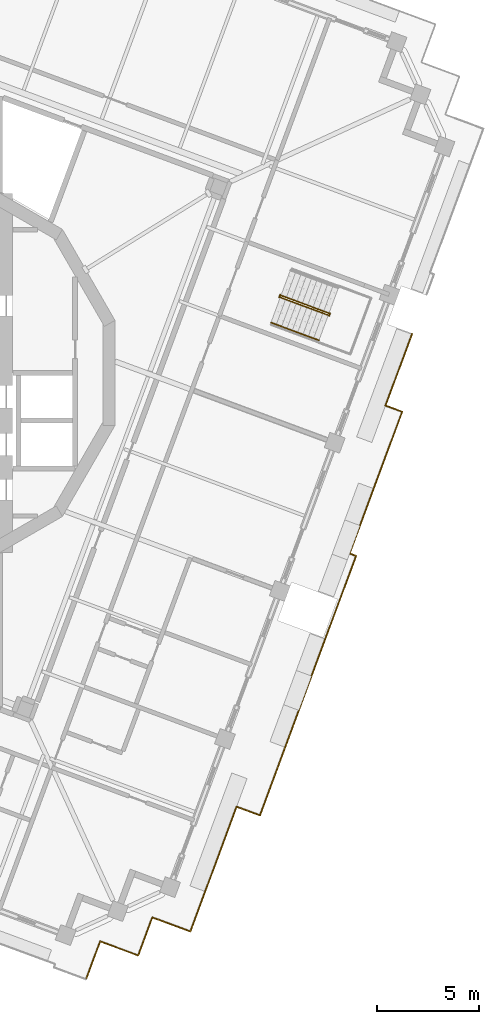
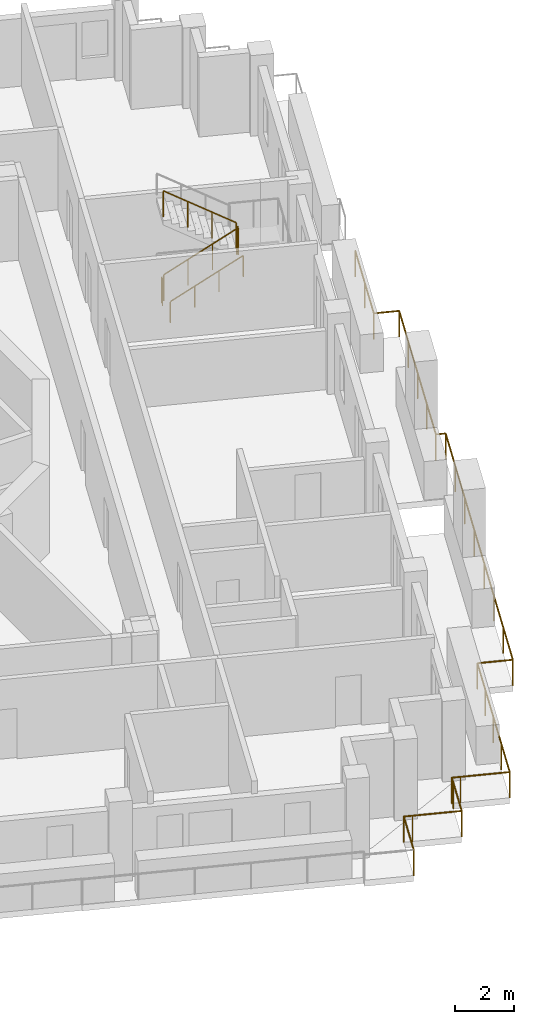
# One storey, part 17 of 20: 5 railings.
"""IFC4 building model written with IfcOpenShell, lengths in metres."""

from ifc_helpers import new_model, si_unit, direction, frame, origin, origin_2d, place, context, subcontext, project, spatial, circle, extrude, material, type_object, element, save


model = new_model("IFC4")

# Units and contexts
model_context = context("Model", 3, precision=1e-05, world=origin(), true_north=direction((0.0, 1.0)))
body_context = subcontext(model_context, "Body", "Model", "MODEL_VIEW")
ifc_project = project(units=[si_unit("LENGTHUNIT", "METRE"), si_unit("AREAUNIT", "SQUARE_METRE"), si_unit("VOLUMEUNIT", "CUBIC_METRE"), si_unit("PLANEANGLEUNIT", "RADIAN"), si_unit("MASSUNIT", "GRAM", prefix="KILO")], contexts=[model_context])

# Site, building, storey
site_placement = place(None, origin())
site = spatial("IfcSite", under=ifc_project, at=site_placement, CompositionType="ELEMENT")
building_placement = place(site_placement, origin())
building = spatial("IfcBuilding", under=site, at=building_placement, Name="Cantera Rosa Tower", CompositionType="ELEMENT")
storey_placement = place(building_placement, frame((0.0, 0.0, 309.699951171875)))
storey = spatial("IfcBuildingStorey", under=building, at=storey_placement, Name="L68", CompositionType="ELEMENT", Elevation=309.699951171875)

# Railings
ifc_material_1 = material(Name="Stainless steel and laminated glass", Category="steel")
railing_type_1 = type_object("IfcRailingType", Name="GUARD 1100", PredefinedType="BALUSTRADE", material=ifc_material_1)
railing_1_placement = place(storey_placement, frame((24.29150390625, 1.918701171875, 0.0)))
element("IfcRailing", 1, at=railing_1_placement, inside=storey, type_object=railing_type_1, Name="GUARD L68-7", PredefinedType="BALUSTRADE", context=body_context, shape_type="SweptSolid", body=[
    extrude(circle(Radius=0.030029296875, at=origin_2d()), frame((0.0, 0.0, 1.070068359375), z_axis=(-0.347529903095, -0.937668900228, 0.0), x_axis=(0.937668900228, -0.347529903095, 0.0)), (0.0, 0.0, 1.0), 3.7626953125),
    extrude(circle(Radius=0.030029296875, at=origin_2d()), frame((-1.3076171875, -3.528076171875, 1.070068359375), z_axis=(0.937752120302, -0.347305284828, 0.0), x_axis=(0.347305284828, 0.937752120302, 0.0)), (0.0, 0.0, 1.0), 0.876708984375),
    extrude(circle(Radius=0.030029296875, at=origin_2d()), frame((-0.485595703125, -3.83251953125, 1.070068359375), z_axis=(-0.347475671947, -0.937688998232, 0.0), x_axis=(0.937688998232, -0.347475671947, 0.0)), (0.0, 0.0, 1.0), 7.44287109375),
    extrude(circle(Radius=0.030029296875, at=origin_2d()), frame((-3.07177734375, -10.8115234375, 1.070068359375), z_axis=(0.937661389353, -0.347550167482, 0.0), x_axis=(0.347550167482, 0.937661389353, 0.0)), (0.0, 0.0, 1.0), 0.337158203125),
    extrude(circle(Radius=0.030029296875, at=origin_2d()), frame((-2.755615234375, -10.9287109375, 1.070068359375), z_axis=(-0.347469536393, -0.937691271837, 0.0), x_axis=(0.937691271837, -0.347469536393, 0.0)), (0.0, 0.0, 1.0), 13.62939453125),
    extrude(circle(Radius=0.030029296875, at=origin_2d()), frame((-7.491455078125, -23.708984375, 1.070068359375), z_axis=(-0.937722312445, 0.34738575783, 0.0), x_axis=(-0.34738575783, -0.937722312445, 0.0)), (0.0, 0.0, 1.0), 1.224853515625),
    extrude(circle(Radius=0.030029296875, at=origin_2d()), frame((-8.64013671875, -23.283447265625, 1.070068359375), z_axis=(-0.347478129695, -0.93768808747, 0.0), x_axis=(0.93768808747, -0.347478129695, 0.0)), (0.0, 0.0, 1.0), 4.85498046875),
    extrude(circle(Radius=0.030029296875, at=origin_2d()), frame((-10.3271484375, -27.8359375, 1.070068359375), z_axis=(-0.347501421626, -0.937679455874, 0.0), x_axis=(0.937679455874, -0.347501421626, 0.0)), (0.0, 0.0, 1.0), 1.7001953125),
    extrude(circle(Radius=0.030029296875, at=origin_2d()), frame((-10.91796875, -29.43017578125, 1.070068359375), z_axis=(-0.93766211216, 0.347548217403, 0.0), x_axis=(-0.347548217403, -0.93766211216, 0.0)), (0.0, 0.0, 1.0), 1.699951171875),
    extrude(circle(Radius=0.030029296875, at=origin_2d()), frame((-12.511962890625, -28.83935546875, 1.070068359375), z_axis=(-0.937660365215, 0.347552930509, 0.0), x_axis=(-0.347552930509, -0.937660365215, 0.0)), (0.0, 0.0, 1.0), 0.300048828125),
    extrude(circle(Radius=0.030029296875, at=origin_2d()), frame((-12.793212890625, -28.735107421875, 1.070068359375), z_axis=(-0.347552930509, -0.937660365215, 0.0), x_axis=(0.937660365215, -0.347552930509, 0.0)), (0.0, 0.0, 1.0), 0.300048828125),
    extrude(circle(Radius=0.030029296875, at=origin_2d()), frame((-12.8974609375, -29.016357421875, 1.070068359375), z_axis=(-0.347501421626, -0.937679455874, 0.0), x_axis=(0.937679455874, -0.347501421626, 0.0)), (0.0, 0.0, 1.0), 1.7001953125),
    extrude(circle(Radius=0.030029296875, at=origin_2d()), frame((-13.48828125, -30.610595703125, 1.070068359375), z_axis=(-0.93766211216, 0.347548217403, 0.0), x_axis=(-0.347548217403, -0.93766211216, 0.0)), (0.0, 0.0, 1.0), 1.699951171875),
    extrude(circle(Radius=0.030029296875, at=origin_2d()), frame((-15.082275390625, -30.019775390625, 1.070068359375), z_axis=(-0.937660365215, 0.347552930509, 0.0), x_axis=(-0.347552930509, -0.937660365215, 0.0)), (0.0, 0.0, 1.0), 0.300048828125),
    extrude(circle(Radius=0.030029296875, at=origin_2d()), frame((-15.363525390625, -29.91552734375, 1.070068359375), z_axis=(-0.347509146147, -0.937676593151, 0.0), x_axis=(0.937676593151, -0.347509146147, 0.0)), (0.0, 0.0, 1.0), 2.000244140625),
    extrude(circle(Radius=0.02490234375, at=origin_2d()), origin(), (0.0, 0.0, 1.0), 1.0400390625),
    extrude(circle(Radius=0.02490234375, at=origin_2d()), frame((-0.65380859375, -1.76416015625, 0.0)), (0.0, 0.0, 1.0), 1.0400390625),
    extrude(circle(Radius=0.02490234375, at=origin_2d()), frame((-1.3076171875, -3.528076171875, 0.0)), (0.0, 0.0, 1.0), 1.0400390625),
    extrude(circle(Radius=0.02490234375, at=origin_2d()), frame((-0.485595703125, -3.83251953125, 0.0)), (0.0, 0.0, 1.0), 1.0400390625),
    extrude(circle(Radius=0.02490234375, at=origin_2d()), frame((-1.132080078125, -5.5771484375, 0.0)), (0.0, 0.0, 1.0), 1.0400390625),
    extrude(circle(Radius=0.02490234375, at=origin_2d()), frame((-1.77880859375, -7.322021484375, 0.0)), (0.0, 0.0, 1.0), 1.0400390625),
    extrude(circle(Radius=0.02490234375, at=origin_2d()), frame((-2.42529296875, -9.06689453125, 0.0)), (0.0, 0.0, 1.0), 1.0400390625),
    extrude(circle(Radius=0.02490234375, at=origin_2d()), frame((-3.07177734375, -10.8115234375, 0.0)), (0.0, 0.0, 1.0), 1.0400390625),
    extrude(circle(Radius=0.02490234375, at=origin_2d()), frame((-2.755615234375, -10.9287109375, 0.0)), (0.0, 0.0, 1.0), 1.0400390625),
    extrude(circle(Radius=0.02490234375, at=origin_2d()), frame((-3.43212890625, -12.75439453125, 0.0)), (0.0, 0.0, 1.0), 1.0400390625),
    extrude(circle(Radius=0.02490234375, at=origin_2d()), frame((-4.108642578125, -14.580322265625, 0.0)), (0.0, 0.0, 1.0), 1.0400390625),
    extrude(circle(Radius=0.02490234375, at=origin_2d()), frame((-4.78515625, -16.406005859375, 0.0)), (0.0, 0.0, 1.0), 1.0400390625),
    extrude(circle(Radius=0.02490234375, at=origin_2d()), frame((-5.4619140625, -18.231689453125, 0.0)), (0.0, 0.0, 1.0), 1.0400390625),
    extrude(circle(Radius=0.02490234375, at=origin_2d()), frame((-6.138427734375, -20.057373046875, 0.0)), (0.0, 0.0, 1.0), 1.0400390625),
    extrude(circle(Radius=0.02490234375, at=origin_2d()), frame((-6.81494140625, -21.88330078125, 0.0)), (0.0, 0.0, 1.0), 1.0400390625),
    extrude(circle(Radius=0.02490234375, at=origin_2d()), frame((-7.491455078125, -23.708984375, 0.0)), (0.0, 0.0, 1.0), 1.0400390625),
    extrude(circle(Radius=0.02490234375, at=origin_2d()), frame((-8.64013671875, -23.283447265625, 0.0)), (0.0, 0.0, 1.0), 1.0400390625),
    extrude(circle(Radius=0.02490234375, at=origin_2d()), frame((-9.202392578125, -24.801025390625, 0.0)), (0.0, 0.0, 1.0), 1.0400390625),
    extrude(circle(Radius=0.02490234375, at=origin_2d()), frame((-9.764892578125, -26.318359375, 0.0)), (0.0, 0.0, 1.0), 1.0400390625),
    extrude(circle(Radius=0.02490234375, at=origin_2d()), frame((-10.3271484375, -27.8359375, 0.0)), (0.0, 0.0, 1.0), 1.0400390625),
    extrude(circle(Radius=0.02490234375, at=origin_2d()), frame((-10.91796875, -29.43017578125, 0.0)), (0.0, 0.0, 1.0), 1.0400390625),
    extrude(circle(Radius=0.02490234375, at=origin_2d()), frame((-12.511962890625, -28.83935546875, 0.0)), (0.0, 0.0, 1.0), 1.0400390625),
    extrude(circle(Radius=0.02490234375, at=origin_2d()), frame((-12.793212890625, -28.735107421875, 0.0)), (0.0, 0.0, 1.0), 1.0400390625),
    extrude(circle(Radius=0.02490234375, at=origin_2d()), frame((-12.8974609375, -29.016357421875, 0.0)), (0.0, 0.0, 1.0), 1.0400390625),
    extrude(circle(Radius=0.02490234375, at=origin_2d()), frame((-13.48828125, -30.610595703125, 0.0)), (0.0, 0.0, 1.0), 1.0400390625),
    extrude(circle(Radius=0.02490234375, at=origin_2d()), frame((-15.082275390625, -30.019775390625, 0.0)), (0.0, 0.0, 1.0), 1.0400390625),
    extrude(circle(Radius=0.02490234375, at=origin_2d()), frame((-15.363525390625, -29.91552734375, 0.0)), (0.0, 0.0, 1.0), 1.0400390625),
    extrude(circle(Radius=0.02490234375, at=origin_2d()), frame((-16.05859375, -31.791015625, 0.0)), (0.0, 0.0, 1.0), 1.0400390625),
])
ifc_material_2 = material(Name="Steel S355J2 (EN 10025-2)", Category="steel")
railing_type_2 = type_object("IfcRailingType", Name="STAIR GUARD 1100", PredefinedType="GUARDRAIL", material=ifc_material_2)
railing_2_placement = place(storey_placement, frame((17.802490234375, 3.721923828125, 0.179931640625)))
element("IfcRailing", 2, at=railing_2_placement, inside=storey, type_object=railing_type_2, Name="L68 ST-61 stair guard 1", PredefinedType="GUARDRAIL", context=body_context, shape_type="SweptSolid", body=[
    extrude(circle(Radius=0.02392578125, at=origin_2d()), frame((0.0, 0.0, 1.076171875), z_axis=(0.788747577403, -0.292306804437, 0.540771662738), x_axis=(0.347500508527, 0.937679794265, 0.0)), (0.0, 0.0, 1.0), 2.995849609375),
    extrude(circle(Radius=0.02392578125, at=origin_2d()), frame((2.363037109375, -0.875732421875, 2.6962890625), z_axis=(0.671593765389, -0.740919573429, 0.0), x_axis=(0.740919573429, 0.671593765389, 0.0)), (0.0, 0.0, 1.0), 0.056396484375),
    extrude(circle(Radius=0.02392578125, at=origin_2d()), frame((2.40087890625, -0.91748046875, 2.6962890625), z_axis=(0.348268249601, 0.937394914814, 0.0), x_axis=(-0.937394914814, 0.348268249601, 0.0)), (0.0, 0.0, 1.0), 0.14990234375),
    extrude(circle(Radius=0.02099609375, at=origin_2d()), origin(), (0.0, 0.0, 1.0), 1.052001953125),
    extrude(circle(Radius=0.02099609375, at=origin_2d()), frame((0.78759765625, -0.2919921875, 0.5400390625)), (0.0, 0.0, 1.0), 1.052001953125),
    extrude(circle(Radius=0.02099609375, at=origin_2d()), frame((1.575439453125, -0.583740234375, 1.080078125)), (0.0, 0.0, 1.0), 1.052001953125),
    extrude(circle(Radius=0.02099609375, at=origin_2d()), frame((2.363037109375, -0.875732421875, 1.6201171875)), (0.0, 0.0, 1.0), 1.052001953125),
    extrude(circle(Radius=0.02099609375, at=origin_2d()), frame((2.40087890625, -0.91748046875, 1.6201171875)), (0.0, 0.0, 1.0), 1.052001953125),
    extrude(circle(Radius=0.02099609375, at=origin_2d()), frame((2.453125, -0.77685546875, 1.6201171875)), (0.0, 0.0, 1.0), 1.052001953125),
])
railing_3_placement = place(storey_placement, frame((20.19970703125, 2.93798828125, 1.97998046875)))
element("IfcRailing", 3, at=railing_3_placement, inside=storey, type_object=railing_type_2, Name="L68 ST-61 stair guard 2", PredefinedType="GUARDRAIL", context=body_context, shape_type="SweptSolid", body=[
    extrude(circle(Radius=0.02392578125, at=origin_2d()), frame((0.0, 0.0, 1.076171875), z_axis=(-0.788747577403, 0.292306804437, 0.540771662738), x_axis=(-0.347500508527, -0.937679794265, 0.0)), (0.0, 0.0, 1.0), 2.995849609375),
    extrude(circle(Radius=0.02099609375, at=origin_2d()), origin(), (0.0, 0.0, 1.0), 1.052001953125),
    extrude(circle(Radius=0.02099609375, at=origin_2d()), frame((-0.78759765625, 0.2919921875, 0.5400390625)), (0.0, 0.0, 1.0), 1.052001953125),
    extrude(circle(Radius=0.02099609375, at=origin_2d()), frame((-1.575439453125, 0.583740234375, 1.080078125)), (0.0, 0.0, 1.0), 1.052001953125),
    extrude(circle(Radius=0.02099609375, at=origin_2d()), frame((-2.363037109375, 0.875732421875, 1.6201171875)), (0.0, 0.0, 1.0), 1.052001953125),
])
railing_4_placement = place(storey_placement, frame((17.74658203125, 3.71484375, 0.0)))
element("IfcRailing", 4, at=railing_4_placement, inside=storey, type_object=railing_type_2, Name="L68 ST-61 stair guard 3", PredefinedType="GUARDRAIL", context=body_context, shape_type="SweptSolid", body=[
    extrude(circle(Radius=0.02392578125, at=origin_2d()), frame((0.0, 0.0, 1.076171875), z_axis=(0.348268249601, 0.937394914814, 0.0), x_axis=(-0.937394914814, 0.348268249601, 0.0)), (0.0, 0.0, 1.0), 0.14990234375),
    extrude(circle(Radius=0.02099609375, at=origin_2d()), origin(), (0.0, 0.0, 1.0), 1.052001953125),
    extrude(circle(Radius=0.02099609375, at=origin_2d()), frame((0.05224609375, 0.140625, 0.0)), (0.0, 0.0, 1.0), 1.052001953125),
])
ifc_material_3 = material(Name="Steel S355J2 (EN 10025-2)", Category="steel")
railing_type_3 = type_object("IfcRailingType", Name="STAIR HANDRAIL 900", PredefinedType="HANDRAIL", material=ifc_material_3)
railing_5_placement = place(storey_placement, frame((17.341796875, 2.478515625, 0.179931640625)))
element("IfcRailing", 5, at=railing_5_placement, inside=storey, type_object=railing_type_3, Name="L68 ST-61 stair handrail 1", PredefinedType="HANDRAIL", context=body_context, shape_type="SweptSolid", body=[
    extrude(circle(Radius=0.02392578125, at=origin_2d()), frame((0.0, 0.0, 0.8759765625), z_axis=(0.788747577403, -0.292306804437, 0.540771662738), x_axis=(0.347500508527, 0.937679794265, 0.0)), (0.0, 0.0, 1.0), 2.995849609375),
    extrude(circle(Radius=0.02099609375, at=origin_2d()), origin(), (0.0, 0.0, 1.0), 0.851806640625),
    extrude(circle(Radius=0.02099609375, at=origin_2d()), frame((0.78759765625, -0.2919921875, 0.5400390625)), (0.0, 0.0, 1.0), 0.851806640625),
    extrude(circle(Radius=0.02099609375, at=origin_2d()), frame((1.575439453125, -0.583740234375, 1.080078125)), (0.0, 0.0, 1.0), 0.851806640625),
    extrude(circle(Radius=0.02099609375, at=origin_2d()), frame((2.363037109375, -0.875732421875, 1.6201171875)), (0.0, 0.0, 1.0), 0.851806640625),
])

save(model, "model.ifc")
